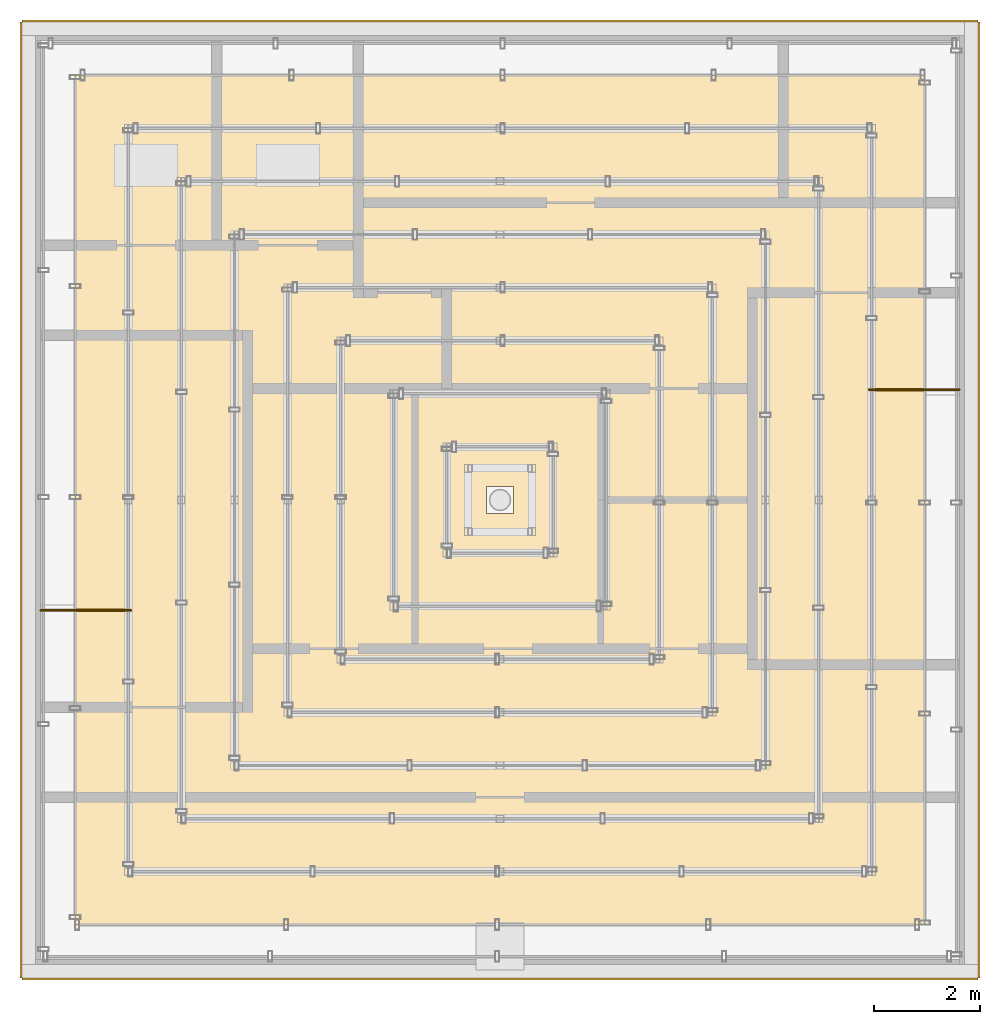
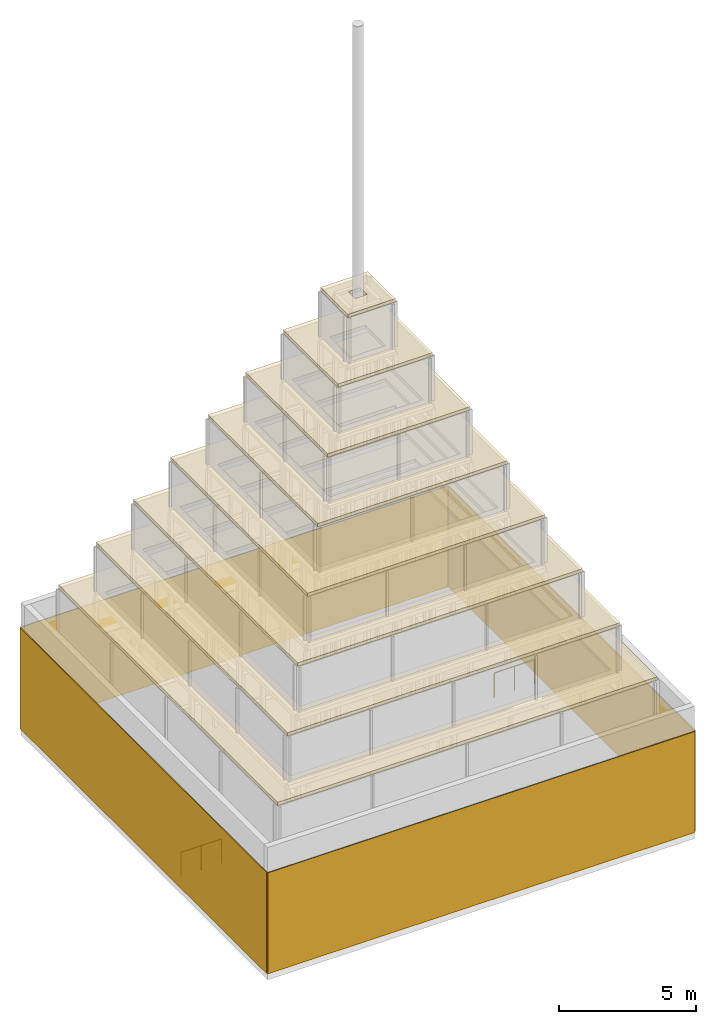
# One storey, part 24 of 24: 12 coverings, 2 railings.
"""IFC4 building model written with IfcOpenShell, lengths in metres."""

import ifcopenshell
import ifcopenshell.guid

model = None  # the IFC model being written
_history = None  # IfcOwnerHistory: only IFC2X3 demands one
_inside = {}  # id of a spatial element -> (the spatial element, [elements in it])
_under = {}  # id of a project, library or spatial element -> (it, [spatial elements below it])
_declared = {}  # id of a project -> (the project, [libraries it declares])
_typed = {}  # id of a type object -> (the type object, [elements of that type])
_made_of = {}  # id of a material, layer set ... -> (it, [elements and type objects made of it])


def new_model(schema):
    """Start an empty IFC model of exactly this schema.

    Asked for "IFC4X3", IfcOpenShell would pick the latest addendum, in which some entities
    have other attributes; the version numbers below select the first issue.
    IFC2X3 requires an IfcOwnerHistory on every rooted entity: one is made here for all.
    """
    global model, _history
    if schema == "IFC4X3":
        model = ifcopenshell.file(schema_version=(4, 3, 0, 0))
    else:
        model = ifcopenshell.file(schema=schema)
    _inside.clear()
    _under.clear()
    _declared.clear()
    _typed.clear()
    _made_of.clear()
    _history = None
    if model.schema == "IFC2X3":
        org = make("IfcOrganization", Name="unknown")
        user = make(
            "IfcPersonAndOrganization",
            ThePerson=make("IfcPerson", FamilyName="unknown"),
            TheOrganization=org,
        )
        app = make(
            "IfcApplication",
            ApplicationDeveloper=org,
            Version="unknown",
            ApplicationFullName="unknown",
            ApplicationIdentifier="unknown",
        )
        _history = make(
            "IfcOwnerHistory",
            OwningUser=user,
            OwningApplication=app,
            ChangeAction="ADDED",
            CreationDate=0,
        )
    return model


def make(cls, **values):
    """One entity of the class cls with the attributes given. An attribute that is None is left unset."""
    return model.create_entity(
        cls, **{name: value for name, value in values.items() if value is not None}
    )


def rooted(cls, **values):
    """An entity with a GlobalId (a new one), such as an element, a storey or a relation."""
    return make(cls, GlobalId=ifcopenshell.guid.new(), OwnerHistory=_history, **values)


def si_unit(unit_type, name, prefix=None):
    """IfcSIUnit, for example si_unit("LENGTHUNIT", "METRE", prefix="MILLI")."""
    return make("IfcSIUnit", UnitType=unit_type, Prefix=prefix, Name=name)


def assignment(units):
    """IfcUnitAssignment: the units of a project."""
    return None if units is None else make("IfcUnitAssignment", Units=units)


def point(xyz):
    """IfcCartesianPoint."""
    return None if xyz is None else make("IfcCartesianPoint", Coordinates=xyz)


def direction(xyz):
    """IfcDirection."""
    return None if xyz is None else make("IfcDirection", DirectionRatios=xyz)


def frame(location, z_axis=None, x_axis=None):
    """IfcAxis2Placement3D, a coordinate frame: its origin and axes. An axis left out is left unset."""
    return make(
        "IfcAxis2Placement3D",
        Location=point(location),
        Axis=direction(z_axis),
        RefDirection=direction(x_axis),
    )


def frame_2d(location, x_axis=None):
    """IfcAxis2Placement2D, a coordinate frame in the plane: its origin and x axis."""
    return make(
        "IfcAxis2Placement2D", Location=point(location), RefDirection=direction(x_axis)
    )


def origin():
    """The frame at (0, 0, 0) with its axes left unset."""
    return frame((0.0, 0.0, 0.0))


def origin_2d():
    """The frame at (0, 0) in the plane with its x axis left unset."""
    return frame_2d((0.0, 0.0))


def place(relative_to, where):
    """IfcLocalPlacement: puts the frame where relative to a parent placement (None: the world)."""
    return make(
        "IfcLocalPlacement", PlacementRelTo=relative_to, RelativePlacement=where
    )


def context(
    kind, dimensions, precision=None, world=None, true_north=None, identifier=None
):
    """IfcGeometricRepresentationContext, for example the 3D "Model" context."""
    return make(
        "IfcGeometricRepresentationContext",
        ContextIdentifier=identifier,
        ContextType=kind,
        CoordinateSpaceDimension=dimensions,
        Precision=precision,
        WorldCoordinateSystem=world,
        TrueNorth=true_north,
    )


def subcontext(parent, identifier, kind, view, scale=None):
    """IfcGeometricRepresentationSubContext, for example "Body" below "Model"."""
    return make(
        "IfcGeometricRepresentationSubContext",
        ContextIdentifier=identifier,
        ContextType=kind,
        ParentContext=parent,
        TargetScale=scale,
        TargetView=view,
    )


def project(units=None, contexts=None):
    """IfcProject with its units and contexts."""
    return rooted(
        "IfcProject",
        Name="project",
        RepresentationContexts=contexts,
        UnitsInContext=assignment(units),
    )


def spatial(cls, under=None, at=None, **own):
    """A site, building, storey or space (cls), placed at a placement, below another one or the project."""
    s = rooted(cls, ObjectPlacement=at, **own)
    if under is not None:
        _under.setdefault(under.id(), (under, []))[1].append(s)
    return s


def polyline(points):
    """IfcPolyline through the points."""
    return make("IfcPolyline", Points=[point(p) for p in points])


def profile(cls, at=None, kind="AREA", **sizes):
    """A parametric profile (cls). Its sizes go by their IFC names, for example OverallWidth=200.0."""
    return make(cls, ProfileType=kind, Position=at, **sizes)


def rectangle(**sizes):
    """IfcRectangleProfileDef."""
    return profile("IfcRectangleProfileDef", **sizes)


def circle(**sizes):
    """IfcCircleProfileDef."""
    return profile("IfcCircleProfileDef", **sizes)


def outline(outer, holes=None, kind="AREA"):
    """IfcArbitraryClosedProfileDef: a profile drawn as a closed curve; with holes, ...WithVoids."""
    if holes is None:
        return make("IfcArbitraryClosedProfileDef", ProfileType=kind, OuterCurve=outer)
    return make(
        "IfcArbitraryProfileDefWithVoids",
        ProfileType=kind,
        OuterCurve=outer,
        InnerCurves=holes,
    )


def extrude(swept, where, along, depth):
    """IfcExtrudedAreaSolid: the profile swept, set in the frame where, extruded along a direction by depth."""
    return make(
        "IfcExtrudedAreaSolid",
        SweptArea=swept,
        Position=where,
        ExtrudedDirection=direction(along),
        Depth=depth,
    )


def shape(context_of_items, identifier, shape_type, items):
    """IfcShapeRepresentation: the items that make up one representation, for example the "Body"."""
    return make(
        "IfcShapeRepresentation",
        ContextOfItems=context_of_items,
        RepresentationIdentifier=identifier,
        RepresentationType=shape_type,
        Items=items,
    )


def source(mapping_origin, context_of_items, identifier, shape_type, items):
    """IfcRepresentationMap: a shape defined once, which mapped items show again and again."""
    return make(
        "IfcRepresentationMap",
        MappingOrigin=mapping_origin,
        MappedRepresentation=shape(context_of_items, identifier, shape_type, items),
    )


def transform(
    local_origin,
    x_axis=None,
    y_axis=None,
    z_axis=None,
    scale=None,
    scale2=None,
    scale3=None,
    uniform=True,
):
    """IfcCartesianTransformationOperator3D, or its non-uniform kind. x_axis, y_axis, z_axis: its Axis1, 2, 3."""
    if uniform:
        return make(
            "IfcCartesianTransformationOperator3D",
            Axis1=direction(x_axis),
            Axis2=direction(y_axis),
            LocalOrigin=point(local_origin),
            Scale=scale,
            Axis3=direction(z_axis),
        )
    return make(
        "IfcCartesianTransformationOperator3DnonUniform",
        Axis1=direction(x_axis),
        Axis2=direction(y_axis),
        LocalOrigin=point(local_origin),
        Scale=scale,
        Axis3=direction(z_axis),
        Scale2=scale2,
        Scale3=scale3,
    )


def mapped(mapping_source, mapping_target):
    """IfcMappedItem: shows the shape of a source again, moved by a transform."""
    return make(
        "IfcMappedItem", MappingSource=mapping_source, MappingTarget=mapping_target
    )


def material(Name=None, Category=None):
    """IfcMaterial."""
    return make("IfcMaterial", Name=Name, Category=Category)


def layer(
    of_material, thickness, ventilated=None, Name=None, Category=None, Priority=None
):
    """IfcMaterialLayer: one layer of a wall or slab, of a material (None: an air gap)."""
    return make(
        "IfcMaterialLayer",
        Material=of_material,
        LayerThickness=thickness,
        IsVentilated=ventilated,
        Name=Name,
        Category=Category,
        Priority=Priority,
    )


def layer_set(layers, Name=None):
    """IfcMaterialLayerSet."""
    return make("IfcMaterialLayerSet", MaterialLayers=layers, LayerSetName=Name)


def made_of(thing, what):
    """Note that an element or type object is made of a material, layer set ...; save() writes the relation."""
    if what is not None:
        _made_of.setdefault(what.id(), (what, []))[1].append(thing)
    return thing


def type_object(cls, material=None, **own):
    """A type object (cls), such as IfcWallType, which elements share."""
    return made_of(rooted(cls, **own), material)


def element(
    cls,
    number,
    at=None,
    inside=None,
    cuts=None,
    type_object=None,
    material=None,
    context=None,
    identifier="Body",
    shape_type=None,
    held_by="IfcProductDefinitionShape",
    body=None,
    shapes=None,
    **own,
):
    """One element of the class cls, such as IfcWall. Its Tag is "e" and its number.

    at: its placement. inside: the storey or other place that contains it. cuts: it is an
    opening in that element (IfcRelVoidsElement). A single representation is given by context,
    identifier, shape_type and body (its items); several are given by shapes. held_by: the class
    of the entity that holds the representations. save() writes the other relations.
    """
    e = rooted(cls, Tag="e%d" % number, ObjectPlacement=at, **own)
    if body is not None:
        shapes = [shape(context, identifier, shape_type, body)]
    if shapes is not None:
        e.Representation = make(held_by, Representations=shapes)
    if inside is not None:
        _inside.setdefault(inside.id(), (inside, []))[1].append(e)
    if cuts is not None:
        rooted(
            "IfcRelVoidsElement", RelatingBuildingElement=cuts, RelatedOpeningElement=e
        )
    if type_object is not None:
        _typed.setdefault(type_object.id(), (type_object, []))[1].append(e)
    return made_of(e, material)


def aggregate(whole, parts):
    """IfcRelAggregates: a whole, such as a stair, and the parts it consists of."""
    return rooted("IfcRelAggregates", RelatingObject=whole, RelatedObjects=parts)


def save(model, path):
    """Write the relations noted so far, then the file.

    IfcRelAggregates (storeys below a building ...), IfcRelContainedInSpatialStructure (elements
    in a storey), IfcRelDefinesByType, IfcRelAssociatesMaterial and IfcRelDeclares: one each for
    every whole, place, type object, material and project.
    """
    for whole, parts in _under.values():
        aggregate(whole, parts)
    for where, things in _inside.values():
        rooted(
            "IfcRelContainedInSpatialStructure",
            RelatedElements=things,
            RelatingStructure=where,
        )
    for kind, things in _typed.values():
        rooted("IfcRelDefinesByType", RelatedObjects=things, RelatingType=kind)
    for what, things in _made_of.values():
        rooted("IfcRelAssociatesMaterial", RelatedObjects=things, RelatingMaterial=what)
    for by, libraries in _declared.values():
        rooted("IfcRelDeclares", RelatingContext=by, RelatedDefinitions=libraries)
    model.write(path)


model = new_model("IFC4")

# Units and contexts
model_context = context("Model", 3, precision=1e-05, world=origin(), true_north=direction((0.0, 1.0)))
body_context = subcontext(model_context, "Body", "Model", "MODEL_VIEW")
ifc_project = project(units=[si_unit("LENGTHUNIT", "METRE"), si_unit("AREAUNIT", "SQUARE_METRE"), si_unit("VOLUMEUNIT", "CUBIC_METRE"), si_unit("PLANEANGLEUNIT", "RADIAN"), si_unit("MASSUNIT", "GRAM", prefix="KILO")], contexts=[model_context])

# Site, building, storey
site_placement = place(None, origin())
site = spatial("IfcSite", under=ifc_project, at=site_placement, CompositionType="ELEMENT")
building_placement = place(site_placement, origin())
building = spatial("IfcBuilding", under=site, at=building_placement, Name="Altepetl Exchange Towers", CompositionType="ELEMENT")
storey_placement = place(building_placement, frame((0.0, 0.0, 279.10009765625)))
storey = spatial("IfcBuildingStorey", under=building, at=storey_placement, Name="L70 Crown plant", CompositionType="ELEMENT", Elevation=279.10009765625)

# Coverings
ifc_material_1 = material(Name="Safety glass roof", Category="glass")
ifc_layer_1 = layer(ifc_material_1, 0.14990234375)
ifc_layer_set_1 = layer_set([ifc_layer_1], Name="Safety glass roof")
covering_type_1 = type_object("IfcCoveringType", Name="Glazed roof covering 150", PredefinedType="CLADDING", material=ifc_layer_set_1)
covering_1_placement = place(storey_placement, frame((0.0, 0.0, 6.5)))
element("IfcCovering", 1, at=covering_1_placement, inside=storey, type_object=covering_type_1, Name="Crown roof glazing", PredefinedType="CLADDING", context=body_context, shape_type="SweptSolid", body=[
    extrude(outline(polyline([(41.5, 41.5), (57.5, 41.5), (57.5, 57.5), (41.5, 57.5), (41.5, 41.5)]), holes=[polyline([(42.75, 42.75), (56.25, 42.75), (56.25, 56.25), (42.75, 56.25), (42.75, 42.75)])]), origin(), (0.0, 0.0, 1.0), 0.14990234375),
])
covering_2_placement = place(storey_placement, frame((0.0, 0.0, 8.64990234375)))
element("IfcCovering", 2, at=covering_2_placement, inside=storey, type_object=covering_type_1, Name="Crown roof glazing", PredefinedType="CLADDING", context=body_context, shape_type="SweptSolid", body=[
    extrude(outline(polyline([(42.5, 42.5), (56.5, 42.5), (56.5, 56.5), (42.5, 56.5), (42.5, 42.5)]), holes=[polyline([(43.75, 43.75), (55.25, 43.75), (55.25, 55.25), (43.75, 55.25), (43.75, 43.75)])]), origin(), (0.0, 0.0, 1.0), 0.14990234375),
])
covering_3_placement = place(storey_placement, frame((0.0, 0.0, 10.7998046875)))
element("IfcCovering", 3, at=covering_3_placement, inside=storey, type_object=covering_type_1, Name="Crown roof glazing", PredefinedType="CLADDING", context=body_context, shape_type="SweptSolid", body=[
    extrude(outline(polyline([(43.5, 43.5), (55.5, 43.5), (55.5, 55.5), (43.5, 55.5), (43.5, 43.5)]), holes=[polyline([(44.75, 44.75), (54.25, 44.75), (54.25, 54.25), (44.75, 54.25), (44.75, 44.75)])]), origin(), (0.0, 0.0, 1.0), 0.150146484375),
])
covering_4_placement = place(storey_placement, frame((0.0, 0.0, 12.949951171875)))
element("IfcCovering", 4, at=covering_4_placement, inside=storey, type_object=covering_type_1, Name="Crown roof glazing", PredefinedType="CLADDING", context=body_context, shape_type="SweptSolid", body=[
    extrude(outline(polyline([(44.5, 44.5), (54.5, 44.5), (54.5, 54.5), (44.5, 54.5), (44.5, 44.5)]), holes=[polyline([(45.75, 45.75), (53.25, 45.75), (53.25, 53.25), (45.75, 53.25), (45.75, 45.75)])]), origin(), (0.0, 0.0, 1.0), 0.14990234375),
])
covering_5_placement = place(storey_placement, frame((0.0, 0.0, 15.099853515625)))
element("IfcCovering", 5, at=covering_5_placement, inside=storey, type_object=covering_type_1, Name="Crown roof glazing", PredefinedType="CLADDING", context=body_context, shape_type="SweptSolid", body=[
    extrude(outline(polyline([(45.5, 45.5), (53.5, 45.5), (53.5, 53.5), (45.5, 53.5), (45.5, 45.5)]), holes=[polyline([(46.75, 46.75), (52.25, 46.75), (52.25, 52.25), (46.75, 52.25), (46.75, 46.75)])]), origin(), (0.0, 0.0, 1.0), 0.150146484375),
])
covering_6_placement = place(storey_placement, frame((0.0, 0.0, 17.25)))
element("IfcCovering", 6, at=covering_6_placement, inside=storey, type_object=covering_type_1, Name="Crown roof glazing", PredefinedType="CLADDING", context=body_context, shape_type="SweptSolid", body=[
    extrude(outline(polyline([(46.5, 46.5), (52.5, 46.5), (52.5, 52.5), (46.5, 52.5), (46.5, 46.5)]), holes=[polyline([(47.75, 47.75), (51.25, 47.75), (51.25, 51.25), (47.75, 51.25), (47.75, 47.75)])]), origin(), (0.0, 0.0, 1.0), 0.14990234375),
])
covering_7_placement = place(storey_placement, frame((0.0, 0.0, 19.39990234375)))
element("IfcCovering", 7, at=covering_7_placement, inside=storey, type_object=covering_type_1, Name="Crown roof glazing", PredefinedType="CLADDING", context=body_context, shape_type="SweptSolid", body=[
    extrude(outline(polyline([(47.5, 47.5), (51.5, 47.5), (51.5, 51.5), (47.5, 51.5), (47.5, 47.5)]), holes=[polyline([(48.75, 48.75), (50.25, 48.75), (50.25, 50.25), (48.75, 50.25), (48.75, 48.75)])]), origin(), (0.0, 0.0, 1.0), 0.14990234375),
])
covering_8_placement = place(storey_placement, frame((0.0, 0.0, 21.5498046875)))
element("IfcCovering", 8, at=covering_8_placement, inside=storey, type_object=covering_type_1, Name="Crown roof glazing", PredefinedType="CLADDING", context=body_context, shape_type="SweptSolid", body=[
    extrude(outline(polyline([(48.5, 48.5), (50.5, 48.5), (50.5, 50.5), (48.5, 50.5), (48.5, 48.5)]), holes=[polyline([(49.25, 49.25), (49.75, 49.25), (49.75, 49.75), (49.25, 49.75), (49.25, 49.25)])]), origin(), (0.0, 0.0, 1.0), 0.150146484375),
])
ifc_material_2 = material(Name="Cantera limestone cladding", Category="masonry")
ifc_layer_2 = layer(ifc_material_2, 0.0400390625)
ifc_layer_set_2 = layer_set([ifc_layer_2], Name="Cantera limestone cladding")
covering_type_2 = type_object("IfcCoveringType", Name="Stone panel 40 cantera", PredefinedType="CLADDING", material=ifc_layer_set_2)
covering_9_placement = place(storey_placement, frame((49.5, 40.47998046875, 0.0)))
element("IfcCovering", 9, at=covering_9_placement, inside=storey, type_object=covering_type_2, Name="Stone cladding panel", PredefinedType="CLADDING", context=body_context, shape_type="SweptSolid", body=[
    extrude(rectangle(XDim=18.0, YDim=0.0400390625, at=origin_2d()), origin(), (0.0, 0.0, 1.0), 4.5),
])
for number, where, z_axis, x_axis, name in (
    (10, (58.52001953125, 49.5, 0.0), (0.0, 0.0, 1.0), (0.0, 1.0, 0.0), "Stone cladding panel"),
    (11, (49.5, 58.52001953125, 0.0), (0.0, 0.0, 1.0), (-1.0, 0.0, 0.0), "Stone cladding panel"),
    (12, (40.47998046875, 49.5, 0.0), (0.0, 0.0, 1.0), (0.0, -1.0, 0.0), "Stone cladding panel"),
):
    element("IfcCovering", number, at=place(storey_placement, frame(where, z_axis=z_axis, x_axis=x_axis)), inside=storey, type_object=covering_type_2, Name=name, PredefinedType="CLADDING", context=body_context, shape_type="SweptSolid", body=[
        extrude(rectangle(XDim=18.0, YDim=0.0400390625, at=origin_2d()), origin(), (0.0, 0.0, 1.0), 4.5),
    ])

# Railings
ifc_material_3 = material(Name="Steel", Category="steel")
railing_type = type_object("IfcRailingType", Name="Stair well guard 1100 steel", PredefinedType="GUARDRAIL", material=ifc_material_3)
shared_shape = source(origin(), body_context, "Body", "SweptSolid", [
    extrude(circle(Radius=0.02099609375, at=origin_2d()), origin(), (0.0, 0.0, 1.0), 1.052001953125),
])
for number, where, name in (
    (13, (40.85009765625, 47.419921875, 0.0), "Stair well guard"),
    (14, (56.449951171875, 51.580078125, 0.0), "Stair well guard"),
):
    element("IfcRailing", number, at=place(storey_placement, frame(where)), inside=storey, type_object=railing_type, Name=name, PredefinedType="GUARDRAIL", context=body_context, shape_type="SweptSolid", body=[
        extrude(circle(Radius=0.02392578125, at=origin_2d()), frame((0.0, 0.0, 1.076171875), z_axis=(1.0, 0.0, 0.0), x_axis=(0.0, 1.0, 0.0)), (0.0, 0.0, 1.0), 1.699951171875),
        mapped(shared_shape, transform((0.0, 0.0, 0.0))),
        mapped(shared_shape, transform((0.85009765625, 0.0, 0.0))),
        mapped(shared_shape, transform((1.699951171875, 0.0, 0.0))),
    ])

save(model, "model.ifc")
